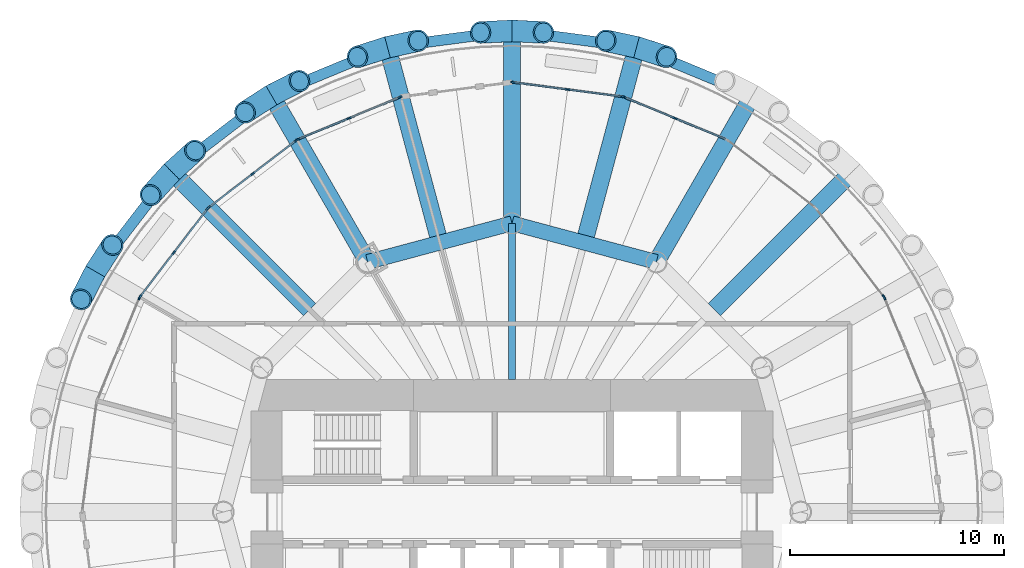
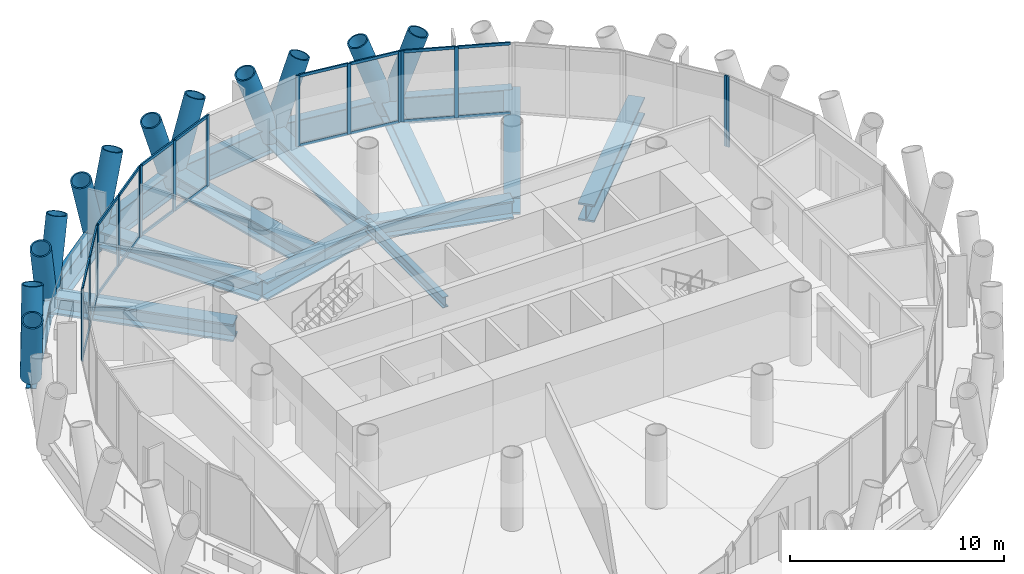
# One storey, part 5 of 14: 49 members, 16 beams, 8 elements without a shape of their own.
"""IFC4 building model written with IfcOpenShell, lengths in metres."""

from ifc_helpers import new_model, si_unit, direction, frame, origin, origin_2d, place, context, subcontext, project, spatial, rectangle, hollow_circle, i_section, extrude, material, material_profile, profile_set, type_object, element, aggregate, save


model = new_model("IFC4")

# Units and contexts
model_context = context("Model", 3, precision=1e-05, world=origin(), true_north=direction((0.0, 1.0)))
body_context = subcontext(model_context, "Body", "Model", "MODEL_VIEW")
ifc_project = project(units=[si_unit("LENGTHUNIT", "METRE"), si_unit("AREAUNIT", "SQUARE_METRE"), si_unit("VOLUMEUNIT", "CUBIC_METRE"), si_unit("PLANEANGLEUNIT", "RADIAN"), si_unit("MASSUNIT", "GRAM", prefix="KILO")], contexts=[model_context])

# Site, building, storey
site_placement = place(None, origin())
site = spatial("IfcSite", under=ifc_project, at=site_placement, CompositionType="ELEMENT")
building_placement = place(site_placement, origin())
building = spatial("IfcBuilding", under=site, at=building_placement, Name="Qaws Media Tower", CompositionType="ELEMENT")
storey_placement = place(building_placement, frame((0.0, 0.0, 227.60009765625)))
storey = spatial("IfcBuildingStorey", under=building, at=storey_placement, Name="L52", CompositionType="ELEMENT", Elevation=227.60009765625)

# Curtain wall, member
ifc_material_1 = material(Name="Aluminium and clear glass", Category="aluminium")
curtain_wall_type = type_object("IfcCurtainWallType", Name="Unitised curtain wall CW-C", PredefinedType="NOTDEFINED", material=ifc_material_1)
curtain_wall_1_placement = place(storey_placement, origin())
curtain_wall_1 = element("IfcCurtainWall", 1, at=curtain_wall_1_placement, inside=storey, type_object=curtain_wall_type, Name="CWC curtain wall L52-02", PredefinedType="NOTDEFINED")
ifc_material_2 = material(Name="Aluminium mullion", Category="aluminium")
ifc_material_profile_1 = material_profile(ifc_material_2, rectangle(XDim=0.080078125, YDim=0.199951171875, at=origin_2d()), Name="80x200")
ifc_profile_set_1 = profile_set([ifc_material_profile_1], Name="Aluminium mullion")
member_type_1 = type_object("IfcMemberType", Name="Curtain wall mullion 80x200", PredefinedType="MULLION", material=ifc_profile_set_1)
member_1_placement = place(storey_placement, frame((77.42236328125, 60.012939453125, 0.0), z_axis=(0.0, 0.0, 1.0), x_axis=(-0.92387956029, -0.382683365302, 0.0)))
member_1 = element("IfcMember", 2, at=member_1_placement, type_object=member_type_1, Name="CWC mullion 3", PredefinedType="MULLION", context=body_context, shape_type="SweptSolid", body=[
    extrude(rectangle(XDim=0.080078125, YDim=0.199951171875, at=origin_2d()), origin(), (0.0, 0.0, 1.0), 4.039794921875),
])
aggregate(curtain_wall_1, [member_1])

curtain_wall_2_placement = place(storey_placement, origin())
curtain_wall_2 = element("IfcCurtainWall", 3, at=curtain_wall_2_placement, inside=storey, type_object=curtain_wall_type, Name="CWC curtain wall L52-03", PredefinedType="NOTDEFINED")
member_2_placement = place(storey_placement, frame((77.3828125, 60.081787109375, 0.0), z_axis=(0.0, 0.0, 1.0), x_axis=(-0.793353255855, -0.608761539048, 0.0)))
member_2 = element("IfcMember", 4, at=member_2_placement, type_object=member_type_1, Name="CWC mullion 1", PredefinedType="MULLION", context=body_context, shape_type="SweptSolid", body=[
    extrude(rectangle(XDim=0.080078125, YDim=0.199951171875, at=origin_2d()), origin(), (0.0, 0.0, 1.0), 4.039794921875),
])
aggregate(curtain_wall_2, [member_2])

# Curtain wall, members
curtain_wall_3_placement = place(storey_placement, origin())
curtain_wall_3 = element("IfcCurtainWall", 5, at=curtain_wall_3_placement, inside=storey, type_object=curtain_wall_type, Name="CWC curtain wall L52-05", PredefinedType="NOTDEFINED")
member_3_placement = place(storey_placement, frame((67.626220703125, 68.4111328125, 0.0), z_axis=(0.0, 0.0, 1.0), x_axis=(-0.382683365302, -0.92387956029, 0.0)))
member_3 = element("IfcMember", 6, at=member_3_placement, type_object=member_type_1, Name="CWC mullion 2", PredefinedType="MULLION", context=body_context, shape_type="SweptSolid", body=[
    extrude(rectangle(XDim=0.080078125, YDim=0.199951171875, at=origin_2d()), origin(), (0.0, 0.0, 1.0), 4.039794921875),
])
member_4_placement = place(storey_placement, frame((65.2392578125, 69.39990234375, 0.0), z_axis=(0.0, 0.0, 1.0), x_axis=(-0.382683365302, -0.92387956029, 0.0)))
member_4 = element("IfcMember", 7, at=member_4_placement, type_object=member_type_1, Name="CWC mullion 3", PredefinedType="MULLION", context=body_context, shape_type="SweptSolid", body=[
    extrude(rectangle(XDim=0.080078125, YDim=0.199951171875, at=origin_2d()), origin(), (0.0, 0.0, 1.0), 4.039794921875),
])

curtain_wall_4_placement = place(storey_placement, origin())
curtain_wall_4 = element("IfcCurtainWall", 8, at=curtain_wall_4_placement, inside=storey, type_object=curtain_wall_type, Name="CWC curtain wall L52-06", PredefinedType="NOTDEFINED")
member_5_placement = place(storey_placement, frame((65.16259765625, 69.42041015625, 0.0), z_axis=(0.0, 0.0, 1.0), x_axis=(-0.130526207759, -0.991444859328, 0.0)))
member_5 = element("IfcMember", 9, at=member_5_placement, type_object=member_type_1, Name="CWC mullion 1", PredefinedType="MULLION", context=body_context, shape_type="SweptSolid", body=[
    extrude(rectangle(XDim=0.080078125, YDim=0.199951171875, at=origin_2d()), origin(), (0.0, 0.0, 1.0), 4.039794921875),
])
member_6_placement = place(storey_placement, frame((62.60107421875, 69.757568359375, 0.0), z_axis=(0.0, 0.0, 1.0), x_axis=(-0.130526207759, -0.991444859328, 0.0)))
member_6 = element("IfcMember", 10, at=member_6_placement, type_object=member_type_1, Name="CWC mullion 2", PredefinedType="MULLION", context=body_context, shape_type="SweptSolid", body=[
    extrude(rectangle(XDim=0.080078125, YDim=0.199951171875, at=origin_2d()), origin(), (0.0, 0.0, 1.0), 4.039794921875),
])
member_7_placement = place(storey_placement, frame((60.03955078125, 70.0947265625, 0.0), z_axis=(0.0, 0.0, 1.0), x_axis=(-0.130526207759, -0.991444859328, 0.0)))
member_7 = element("IfcMember", 11, at=member_7_placement, type_object=member_type_1, Name="CWC mullion 3", PredefinedType="MULLION", context=body_context, shape_type="SweptSolid", body=[
    extrude(rectangle(XDim=0.080078125, YDim=0.199951171875, at=origin_2d()), origin(), (0.0, 0.0, 1.0), 4.039794921875),
])

curtain_wall_5_placement = place(storey_placement, origin())
curtain_wall_5 = element("IfcCurtainWall", 12, at=curtain_wall_5_placement, inside=storey, type_object=curtain_wall_type, Name="CWC curtain wall L52-08", PredefinedType="NOTDEFINED")
member_8_placement = place(storey_placement, frame((54.7607421875, 69.39990234375, 0.0), z_axis=(0.0, 0.0, 1.0), x_axis=(0.382683365302, -0.92387956029, 0.0)))
member_8 = element("IfcMember", 13, at=member_8_placement, type_object=member_type_1, Name="CWC mullion 1", PredefinedType="MULLION", context=body_context, shape_type="SweptSolid", body=[
    extrude(rectangle(XDim=0.080078125, YDim=0.199951171875, at=origin_2d()), origin(), (0.0, 0.0, 1.0), 4.039794921875),
])
member_9_placement = place(storey_placement, frame((52.373779296875, 68.4111328125, 0.0), z_axis=(0.0, 0.0, 1.0), x_axis=(0.382683365302, -0.92387956029, 0.0)))
member_9 = element("IfcMember", 14, at=member_9_placement, type_object=member_type_1, Name="CWC mullion 2", PredefinedType="MULLION", context=body_context, shape_type="SweptSolid", body=[
    extrude(rectangle(XDim=0.080078125, YDim=0.199951171875, at=origin_2d()), origin(), (0.0, 0.0, 1.0), 4.039794921875),
])
member_10_placement = place(storey_placement, frame((49.987060546875, 67.42236328125, 0.0), z_axis=(0.0, 0.0, 1.0), x_axis=(0.382683365302, -0.92387956029, 0.0)))
member_10 = element("IfcMember", 15, at=member_10_placement, type_object=member_type_1, Name="CWC mullion 3", PredefinedType="MULLION", context=body_context, shape_type="SweptSolid", body=[
    extrude(rectangle(XDim=0.080078125, YDim=0.199951171875, at=origin_2d()), origin(), (0.0, 0.0, 1.0), 4.039794921875),
])

curtain_wall_6_placement = place(storey_placement, origin())
curtain_wall_6 = element("IfcCurtainWall", 16, at=curtain_wall_6_placement, inside=storey, type_object=curtain_wall_type, Name="CWC curtain wall L52-09", PredefinedType="NOTDEFINED")
member_11_placement = place(storey_placement, frame((49.918212890625, 67.3828125, 0.0), z_axis=(0.0, 0.0, 1.0), x_axis=(0.608761539048, -0.793353255855, 0.0)))
member_11 = element("IfcMember", 17, at=member_11_placement, type_object=member_type_1, Name="CWC mullion 1", PredefinedType="MULLION", context=body_context, shape_type="SweptSolid", body=[
    extrude(rectangle(XDim=0.080078125, YDim=0.199951171875, at=origin_2d()), origin(), (0.0, 0.0, 1.0), 4.039794921875),
])
member_12_placement = place(storey_placement, frame((47.86865234375, 65.81005859375, 0.0), z_axis=(0.0, 0.0, 1.0), x_axis=(0.608761539048, -0.793353255855, 0.0)))
member_12 = element("IfcMember", 18, at=member_12_placement, type_object=member_type_1, Name="CWC mullion 2", PredefinedType="MULLION", context=body_context, shape_type="SweptSolid", body=[
    extrude(rectangle(XDim=0.080078125, YDim=0.199951171875, at=origin_2d()), origin(), (0.0, 0.0, 1.0), 4.039794921875),
])
member_13_placement = place(storey_placement, frame((45.81884765625, 64.2373046875, 0.0), z_axis=(0.0, 0.0, 1.0), x_axis=(0.608761539048, -0.793353255855, 0.0)))
member_13 = element("IfcMember", 19, at=member_13_placement, type_object=member_type_1, Name="CWC mullion 3", PredefinedType="MULLION", context=body_context, shape_type="SweptSolid", body=[
    extrude(rectangle(XDim=0.080078125, YDim=0.199951171875, at=origin_2d()), origin(), (0.0, 0.0, 1.0), 4.039794921875),
])

curtain_wall_7_placement = place(storey_placement, origin())
curtain_wall_7 = element("IfcCurtainWall", 20, at=curtain_wall_7_placement, inside=storey, type_object=curtain_wall_type, Name="CWC curtain wall L52-10", PredefinedType="NOTDEFINED")
member_14_placement = place(storey_placement, frame((45.7626953125, 64.18115234375, 0.0), z_axis=(0.0, 0.0, 1.0), x_axis=(0.793353255855, -0.608761539048, 0.0)))
member_14 = element("IfcMember", 21, at=member_14_placement, type_object=member_type_1, Name="CWC mullion 1", PredefinedType="MULLION", context=body_context, shape_type="SweptSolid", body=[
    extrude(rectangle(XDim=0.080078125, YDim=0.199951171875, at=origin_2d()), origin(), (0.0, 0.0, 1.0), 4.039794921875),
])
member_15_placement = place(storey_placement, frame((44.18994140625, 62.13134765625, 0.0), z_axis=(0.0, 0.0, 1.0), x_axis=(0.793353255855, -0.608761539048, 0.0)))
member_15 = element("IfcMember", 22, at=member_15_placement, type_object=member_type_1, Name="CWC mullion 2", PredefinedType="MULLION", context=body_context, shape_type="SweptSolid", body=[
    extrude(rectangle(XDim=0.080078125, YDim=0.199951171875, at=origin_2d()), origin(), (0.0, 0.0, 1.0), 4.039794921875),
])
member_16_placement = place(storey_placement, frame((42.6171875, 60.081787109375, 0.0), z_axis=(0.0, 0.0, 1.0), x_axis=(0.793353255855, -0.608761539048, 0.0)))
member_16 = element("IfcMember", 23, at=member_16_placement, type_object=member_type_1, Name="CWC mullion 3", PredefinedType="MULLION", context=body_context, shape_type="SweptSolid", body=[
    extrude(rectangle(XDim=0.080078125, YDim=0.199951171875, at=origin_2d()), origin(), (0.0, 0.0, 1.0), 4.039794921875),
])

# Curtain wall, member
curtain_wall_8_placement = place(storey_placement, origin())
curtain_wall_8 = element("IfcCurtainWall", 24, at=curtain_wall_8_placement, inside=storey, type_object=curtain_wall_type, Name="CWC curtain wall L52-11", PredefinedType="NOTDEFINED")
member_17_placement = place(storey_placement, frame((42.57763671875, 60.012939453125, 0.0), z_axis=(0.0, 0.0, 1.0), x_axis=(0.92387956029, -0.382683365302, 0.0)))
member_17 = element("IfcMember", 25, at=member_17_placement, type_object=member_type_1, Name="CWC mullion 1", PredefinedType="MULLION", context=body_context, shape_type="SweptSolid", body=[
    extrude(rectangle(XDim=0.080078125, YDim=0.199951171875, at=origin_2d()), origin(), (0.0, 0.0, 1.0), 4.039794921875),
])
aggregate(curtain_wall_8, [member_17])

# Member
ifc_material_3 = material(Name="Aluminium transom", Category="aluminium")
ifc_material_profile_2 = material_profile(ifc_material_3, rectangle(XDim=0.080078125, YDim=0.159912109375, at=origin_2d()), Name="80x160")
ifc_profile_set_2 = profile_set([ifc_material_profile_2], Name="Aluminium transom")
member_type_2 = type_object("IfcMemberType", Name="Curtain wall transom 80x160", PredefinedType="USERDEFINED", material=ifc_profile_set_2)
member_18_placement = place(storey_placement, frame((69.97607421875, 67.437744140625, 0.039794921875), z_axis=(-0.923888472039, 0.382661849723, 0.0), x_axis=(-0.382661849723, -0.923888472039, 0.0)))
member_18 = element("IfcMember", 26, at=member_18_placement, type_object=member_type_2, Name="CWC transom 1.1", ObjectType="TRANSOM", PredefinedType="USERDEFINED", context=body_context, shape_type="SweptSolid", body=[
    extrude(rectangle(XDim=0.080078125, YDim=0.159912109375, at=origin_2d()), origin(), (0.0, 0.0, 1.0), 2.50341796875),
])

member_19_placement = place(storey_placement, frame((69.97607421875, 67.437744140625, 4.0), z_axis=(-0.923888472039, 0.382661849723, 0.0), x_axis=(-0.382661849723, -0.923888472039, 0.0)))
member_19 = element("IfcMember", 27, at=member_19_placement, type_object=member_type_2, Name="CWC transom 1.2", ObjectType="TRANSOM", PredefinedType="USERDEFINED", context=body_context, shape_type="SweptSolid", body=[
    extrude(rectangle(XDim=0.080078125, YDim=0.159912109375, at=origin_2d()), origin(), (0.0, 0.0, 1.0), 2.50341796875),
])

member_20_placement = place(storey_placement, frame((67.589111328125, 68.426513671875, 0.039794921875), z_axis=(-0.923888472039, 0.382661849723, 0.0), x_axis=(-0.382661849723, -0.923888472039, 0.0)))
member_20 = element("IfcMember", 28, at=member_20_placement, type_object=member_type_2, Name="CWC transom 2.1", ObjectType="TRANSOM", PredefinedType="USERDEFINED", context=body_context, shape_type="SweptSolid", body=[
    extrude(rectangle(XDim=0.080078125, YDim=0.159912109375, at=origin_2d()), origin(), (0.0, 0.0, 1.0), 2.50341796875),
])

member_21_placement = place(storey_placement, frame((67.589111328125, 68.426513671875, 4.0), z_axis=(-0.923888472039, 0.382661849723, 0.0), x_axis=(-0.382661849723, -0.923888472039, 0.0)))
member_21 = element("IfcMember", 29, at=member_21_placement, type_object=member_type_2, Name="CWC transom 2.2", ObjectType="TRANSOM", PredefinedType="USERDEFINED", context=body_context, shape_type="SweptSolid", body=[
    extrude(rectangle(XDim=0.080078125, YDim=0.159912109375, at=origin_2d()), origin(), (0.0, 0.0, 1.0), 2.50341796875),
])

aggregate(curtain_wall_3, [member_3, member_4, member_18, member_19, member_20, member_21])

member_22_placement = place(storey_placement, frame((65.123046875, 69.425537109375, 0.039794921875), z_axis=(-0.991438688651, 0.130573070139, 0.0), x_axis=(-0.130573070139, -0.991438688651, 0.0)))
member_22 = element("IfcMember", 30, at=member_22_placement, type_object=member_type_2, Name="CWC transom 1.1", ObjectType="TRANSOM", PredefinedType="USERDEFINED", context=body_context, shape_type="SweptSolid", body=[
    extrude(rectangle(XDim=0.080078125, YDim=0.159912109375, at=origin_2d()), origin(), (0.0, 0.0, 1.0), 2.503662109375),
])

member_23_placement = place(storey_placement, frame((65.123046875, 69.425537109375, 4.0), z_axis=(-0.991438688651, 0.130573070139, 0.0), x_axis=(-0.130573070139, -0.991438688651, 0.0)))
member_23 = element("IfcMember", 31, at=member_23_placement, type_object=member_type_2, Name="CWC transom 1.2", ObjectType="TRANSOM", PredefinedType="USERDEFINED", context=body_context, shape_type="SweptSolid", body=[
    extrude(rectangle(XDim=0.080078125, YDim=0.159912109375, at=origin_2d()), origin(), (0.0, 0.0, 1.0), 2.503662109375),
])

member_24_placement = place(storey_placement, frame((62.5615234375, 69.7626953125, 0.039794921875), z_axis=(-0.991438688651, 0.130573070139, 0.0), x_axis=(-0.130573070139, -0.991438688651, 0.0)))
member_24 = element("IfcMember", 32, at=member_24_placement, type_object=member_type_2, Name="CWC transom 2.1", ObjectType="TRANSOM", PredefinedType="USERDEFINED", context=body_context, shape_type="SweptSolid", body=[
    extrude(rectangle(XDim=0.080078125, YDim=0.159912109375, at=origin_2d()), origin(), (0.0, 0.0, 1.0), 2.503662109375),
])

member_25_placement = place(storey_placement, frame((62.5615234375, 69.7626953125, 4.0), z_axis=(-0.991438688651, 0.130573070139, 0.0), x_axis=(-0.130573070139, -0.991438688651, 0.0)))
member_25 = element("IfcMember", 33, at=member_25_placement, type_object=member_type_2, Name="CWC transom 2.2", ObjectType="TRANSOM", PredefinedType="USERDEFINED", context=body_context, shape_type="SweptSolid", body=[
    extrude(rectangle(XDim=0.080078125, YDim=0.159912109375, at=origin_2d()), origin(), (0.0, 0.0, 1.0), 2.503662109375),
])

aggregate(curtain_wall_4, [member_5, member_6, member_7, member_22, member_23, member_24, member_25])

member_26_placement = place(storey_placement, frame((54.723876953125, 69.384521484375, 0.039794921875), z_axis=(-0.923888472039, -0.382661849723, 0.0), x_axis=(0.382661849723, -0.923888472039, 0.0)))
member_26 = element("IfcMember", 34, at=member_26_placement, type_object=member_type_2, Name="CWC transom 1.1", ObjectType="TRANSOM", PredefinedType="USERDEFINED", context=body_context, shape_type="SweptSolid", body=[
    extrude(rectangle(XDim=0.080078125, YDim=0.159912109375, at=origin_2d()), origin(), (0.0, 0.0, 1.0), 2.50341796875),
])

member_27_placement = place(storey_placement, frame((54.723876953125, 69.384521484375, 4.0), z_axis=(-0.923888472039, -0.382661849723, 0.0), x_axis=(0.382661849723, -0.923888472039, 0.0)))
member_27 = element("IfcMember", 35, at=member_27_placement, type_object=member_type_2, Name="CWC transom 1.2", ObjectType="TRANSOM", PredefinedType="USERDEFINED", context=body_context, shape_type="SweptSolid", body=[
    extrude(rectangle(XDim=0.080078125, YDim=0.159912109375, at=origin_2d()), origin(), (0.0, 0.0, 1.0), 2.50341796875),
])

member_28_placement = place(storey_placement, frame((52.3369140625, 68.395751953125, 0.039794921875), z_axis=(-0.923888472039, -0.382661849723, 0.0), x_axis=(0.382661849723, -0.923888472039, 0.0)))
member_28 = element("IfcMember", 36, at=member_28_placement, type_object=member_type_2, Name="CWC transom 2.1", ObjectType="TRANSOM", PredefinedType="USERDEFINED", context=body_context, shape_type="SweptSolid", body=[
    extrude(rectangle(XDim=0.080078125, YDim=0.159912109375, at=origin_2d()), origin(), (0.0, 0.0, 1.0), 2.50341796875),
])

member_29_placement = place(storey_placement, frame((52.3369140625, 68.395751953125, 4.0), z_axis=(-0.923888472039, -0.382661849723, 0.0), x_axis=(0.382661849723, -0.923888472039, 0.0)))
member_29 = element("IfcMember", 37, at=member_29_placement, type_object=member_type_2, Name="CWC transom 2.2", ObjectType="TRANSOM", PredefinedType="USERDEFINED", context=body_context, shape_type="SweptSolid", body=[
    extrude(rectangle(XDim=0.080078125, YDim=0.159912109375, at=origin_2d()), origin(), (0.0, 0.0, 1.0), 2.50341796875),
])

aggregate(curtain_wall_5, [member_8, member_9, member_10, member_26, member_27, member_28, member_29])

member_30_placement = place(storey_placement, frame((49.886474609375, 67.3583984375, 0.039794921875), z_axis=(-0.793315898111, -0.608810221501, 0.0), x_axis=(0.608810221501, -0.793315898111, 0.0)))
member_30 = element("IfcMember", 38, at=member_30_placement, type_object=member_type_2, Name="CWC transom 1.1", ObjectType="TRANSOM", PredefinedType="USERDEFINED", context=body_context, shape_type="SweptSolid", body=[
    extrude(rectangle(XDim=0.080078125, YDim=0.159912109375, at=origin_2d()), origin(), (0.0, 0.0, 1.0), 2.50341796875),
])

member_31_placement = place(storey_placement, frame((49.886474609375, 67.3583984375, 4.0), z_axis=(-0.793315898111, -0.608810221501, 0.0), x_axis=(0.608810221501, -0.793315898111, 0.0)))
member_31 = element("IfcMember", 39, at=member_31_placement, type_object=member_type_2, Name="CWC transom 1.2", ObjectType="TRANSOM", PredefinedType="USERDEFINED", context=body_context, shape_type="SweptSolid", body=[
    extrude(rectangle(XDim=0.080078125, YDim=0.159912109375, at=origin_2d()), origin(), (0.0, 0.0, 1.0), 2.50341796875),
])

member_32_placement = place(storey_placement, frame((47.8369140625, 65.78564453125, 0.039794921875), z_axis=(-0.79335203927, -0.608763124529, 0.0), x_axis=(0.608763124529, -0.79335203927, 0.0)))
member_32 = element("IfcMember", 40, at=member_32_placement, type_object=member_type_2, Name="CWC transom 2.1", ObjectType="TRANSOM", PredefinedType="USERDEFINED", context=body_context, shape_type="SweptSolid", body=[
    extrude(rectangle(XDim=0.080078125, YDim=0.159912109375, at=origin_2d()), origin(), (0.0, 0.0, 1.0), 2.503662109375),
])

member_33_placement = place(storey_placement, frame((47.8369140625, 65.78564453125, 4.0), z_axis=(-0.79335203927, -0.608763124529, 0.0), x_axis=(0.608763124529, -0.79335203927, 0.0)))
member_33 = element("IfcMember", 41, at=member_33_placement, type_object=member_type_2, Name="CWC transom 2.2", ObjectType="TRANSOM", PredefinedType="USERDEFINED", context=body_context, shape_type="SweptSolid", body=[
    extrude(rectangle(XDim=0.080078125, YDim=0.159912109375, at=origin_2d()), origin(), (0.0, 0.0, 1.0), 2.503662109375),
])

aggregate(curtain_wall_6, [member_11, member_12, member_13, member_30, member_31, member_32, member_33])

member_34_placement = place(storey_placement, frame((45.738525390625, 64.1494140625, 0.039794921875), z_axis=(-0.608763124529, -0.79335203927, 0.0), x_axis=(0.79335203927, -0.608763124529, 0.0)))
member_34 = element("IfcMember", 42, at=member_34_placement, type_object=member_type_2, Name="CWC transom 1.1", ObjectType="TRANSOM", PredefinedType="USERDEFINED", context=body_context, shape_type="SweptSolid", body=[
    extrude(rectangle(XDim=0.080078125, YDim=0.159912109375, at=origin_2d()), origin(), (0.0, 0.0, 1.0), 2.503662109375),
])

member_35_placement = place(storey_placement, frame((45.738525390625, 64.1494140625, 4.0), z_axis=(-0.608763124529, -0.79335203927, 0.0), x_axis=(0.79335203927, -0.608763124529, 0.0)))
member_35 = element("IfcMember", 43, at=member_35_placement, type_object=member_type_2, Name="CWC transom 1.2", ObjectType="TRANSOM", PredefinedType="USERDEFINED", context=body_context, shape_type="SweptSolid", body=[
    extrude(rectangle(XDim=0.080078125, YDim=0.159912109375, at=origin_2d()), origin(), (0.0, 0.0, 1.0), 2.503662109375),
])

member_36_placement = place(storey_placement, frame((44.165771484375, 62.099609375, 0.039794921875), z_axis=(-0.608810221501, -0.793315898111, 0.0), x_axis=(0.793315898111, -0.608810221501, 0.0)))
member_36 = element("IfcMember", 44, at=member_36_placement, type_object=member_type_2, Name="CWC transom 2.1", ObjectType="TRANSOM", PredefinedType="USERDEFINED", context=body_context, shape_type="SweptSolid", body=[
    extrude(rectangle(XDim=0.080078125, YDim=0.159912109375, at=origin_2d()), origin(), (0.0, 0.0, 1.0), 2.50341796875),
])

member_37_placement = place(storey_placement, frame((44.165771484375, 62.099609375, 4.0), z_axis=(-0.608810221501, -0.793315898111, 0.0), x_axis=(0.793315898111, -0.608810221501, 0.0)))
member_37 = element("IfcMember", 45, at=member_37_placement, type_object=member_type_2, Name="CWC transom 2.2", ObjectType="TRANSOM", PredefinedType="USERDEFINED", context=body_context, shape_type="SweptSolid", body=[
    extrude(rectangle(XDim=0.080078125, YDim=0.159912109375, at=origin_2d()), origin(), (0.0, 0.0, 1.0), 2.50341796875),
])

aggregate(curtain_wall_7, [member_14, member_15, member_16, member_34, member_35, member_36, member_37])

# Members
ifc_material_4 = material(Name="Steel S460", Category="steel")
ifc_material_profile_3 = material_profile(ifc_material_4, hollow_circle(Radius=0.508056640625, WallThickness=0.070068359375, at=origin_2d()), Name="CHS 1016x70")
ifc_profile_set_3 = profile_set([ifc_material_profile_3], Name="Steel S460")
member_type_3 = type_object("IfcMemberType", Name="Diagrid member CHS 1016x70", PredefinedType="USERDEFINED", material=ifc_profile_set_3)
for number, where, z_axis, x_axis, name in (
    (46, (65.823486328125, 71.7333984375, -0.91015625), (-0.323283600467, 0.06961596623, 0.943737956699), (-0.210514612597, -0.977590710821, 0.0), "DG3 diagrid L52 A06"),
    (47, (65.823486328125, 71.7333984375, -0.91015625), (0.314779550303, -0.101378983785, 0.943735204577), (0.306556840364, 0.951852353901, 0.0), "DG3 diagrid L52 B06"),
    (48, (60.0, 72.5, -0.91015625), (-0.330303240189, -0.016457560548, 0.943731380331), (0.049763876967, -0.998761010727, 0.0), "DG3 diagrid L52 A07"),
    (49, (60.0, 72.5, -0.91015625), (0.330303240189, -0.016457560548, 0.943731380331), (0.049763876967, 0.998761010727, 0.0), "DG3 diagrid L52 B07"),
    (50, (54.176513671875, 71.7333984375, -0.91015625), (-0.314779550303, -0.101378983785, 0.943735204577), (0.306556840364, -0.951852353901, 0.0), "DG3 diagrid L52 A08"),
    (51, (54.176513671875, 71.7333984375, -0.91015625), (0.323283600467, 0.06961596623, 0.943737956699), (-0.210514612597, 0.977590710821, 0.0), "DG3 diagrid L52 B08"),
    (52, (48.75, 69.485595703125, -0.91015625), (-0.277805898185, -0.179388879752, 0.943739112655), (0.542466897967, -0.84007717777, 0.0), "DG3 diagrid L52 A09"),
    (53, (48.75, 69.485595703125, -0.91015625), (0.294262043365, 0.150916271681, 0.94373414094), (-0.456346957219, 0.889801918765, 0.0), "DG3 diagrid L52 B09"),
    (54, (44.090087890625, 65.909912109375, -0.91015625), (-0.221957754822, -0.245162927904, 0.943731897233), (0.741319599696, -0.671152181779, 0.0), "DG3 diagrid L52 A10"),
    (55, (44.090087890625, 65.909912109375, -0.91015625), (0.245162927904, 0.221957754822, 0.943731897233), (-0.671152181779, 0.741319599696, 0.0), "DG3 diagrid L52 B10"),
    (56, (40.514404296875, 61.25, -0.91015625), (-0.150916271681, -0.294262043365, 0.94373414094), (0.889801918765, -0.456346957219, 0.0), "DG3 diagrid L52 A11"),
    (57, (40.514404296875, 61.25, -0.91015625), (0.179388879752, 0.277805898185, 0.943739112655), (-0.84007717777, 0.542466897967, 0.0), "DG3 diagrid L52 B11"),
):
    element("IfcMember", number, at=place(storey_placement, frame(where, z_axis=z_axis, x_axis=x_axis)), inside=storey, type_object=member_type_3, Name=name, ObjectType="DIAGRID", PredefinedType="USERDEFINED", context=body_context, shape_type="SweptSolid", body=[
        extrude(hollow_circle(Radius=0.508056640625, WallThickness=0.070068359375, at=origin_2d()), origin(), (0.0, 0.0, 1.0), 4.450439453125),
    ])

# Beams
ifc_material_5 = material(Name="Steel S460", Category="steel")
ifc_material_profile_4 = material_profile(ifc_material_5, i_section(OverallWidth=0.5, OverallDepth=1.5, WebThickness=0.02001953125, FlangeThickness=0.0400390625, at=origin_2d()), Name="PG 1500x500")
ifc_profile_set_4 = profile_set([ifc_material_profile_4], Name="Steel S460")
beam_type_1 = type_object("IfcBeamType", Name="Edge ring beam PG 1500x500", PredefinedType="BEAM", material=ifc_profile_set_4)
beam_1_placement = place(storey_placement, frame((71.25, 69.485595703125, -0.91015625), z_axis=(-0.923875488976, 0.382693194178, 0.0), x_axis=(-0.382693194178, -0.923875488976, 0.0)))
element("IfcBeam", 58, at=beam_1_placement, inside=storey, type_object=beam_type_1, Name="RB4 edge ring beam L52-05", PredefinedType="BEAM", context=body_context, shape_type="SweptSolid", body=[
    extrude(i_section(OverallWidth=0.5, OverallDepth=1.5, WebThickness=0.02001953125, FlangeThickness=0.0400390625, at=origin_2d()), origin(), (0.0, 0.0, 1.0), 5.87353515625),
])
for number, where, z_axis, x_axis, name in (
    (59, (65.823486328125, 71.7333984375, -0.91015625), (-0.991446512747, 0.13051364818, 0.0), (-0.13051364818, -0.991446512747, 0.0), "RB4 edge ring beam L52-06"),
    (60, (60.0, 72.5, -0.91015625), (-0.991446512747, -0.13051364818, 0.0), (0.13051364818, -0.991446512747, 0.0), "RB4 edge ring beam L52-07"),
):
    element("IfcBeam", number, at=place(storey_placement, frame(where, z_axis=z_axis, x_axis=x_axis)), inside=storey, type_object=beam_type_1, Name=name, PredefinedType="BEAM", context=body_context, shape_type="SweptSolid", body=[
        extrude(i_section(OverallWidth=0.5, OverallDepth=1.5, WebThickness=0.02001953125, FlangeThickness=0.0400390625, at=origin_2d()), origin(), (0.0, 0.0, 1.0), 5.873779296875),
    ])
beam_2_placement = place(storey_placement, frame((54.176513671875, 71.7333984375, -0.91015625), z_axis=(-0.923875488976, -0.382693194178, 0.0), x_axis=(0.382693194178, -0.923875488976, 0.0)))
element("IfcBeam", 61, at=beam_2_placement, inside=storey, type_object=beam_type_1, Name="RB4 edge ring beam L52-08", PredefinedType="BEAM", context=body_context, shape_type="SweptSolid", body=[
    extrude(i_section(OverallWidth=0.5, OverallDepth=1.5, WebThickness=0.02001953125, FlangeThickness=0.0400390625, at=origin_2d()), origin(), (0.0, 0.0, 1.0), 5.87353515625),
])
for number, where, z_axis, x_axis, name in (
    (62, (48.75, 69.485595703125, -0.91015625), (-0.793352742466, -0.608762208108, 0.0), (0.608762208108, -0.793352742466, 0.0), "RB4 edge ring beam L52-09"),
    (63, (44.090087890625, 65.909912109375, -0.91015625), (-0.608762208108, -0.793352742466, 0.0), (0.793352742466, -0.608762208108, 0.0), "RB4 edge ring beam L52-10"),
):
    element("IfcBeam", number, at=place(storey_placement, frame(where, z_axis=z_axis, x_axis=x_axis)), inside=storey, type_object=beam_type_1, Name=name, PredefinedType="BEAM", context=body_context, shape_type="SweptSolid", body=[
        extrude(i_section(OverallWidth=0.5, OverallDepth=1.5, WebThickness=0.02001953125, FlangeThickness=0.0400390625, at=origin_2d()), origin(), (0.0, 0.0, 1.0), 5.873779296875),
    ])
ifc_material_6 = material(Name="Steel S460", Category="steel")
ifc_material_profile_5 = material_profile(ifc_material_6, i_section(OverallWidth=0.699951171875, OverallDepth=1.0, WebThickness=0.034912109375, FlangeThickness=0.090087890625, at=origin_2d()), Name="PG 1000x700")
ifc_profile_set_5 = profile_set([ifc_material_profile_5], Name="Steel S460")
beam_type_2 = type_object("IfcBeamType", Name="Inner ring girder PG 1000x700", PredefinedType="BEAM", material=ifc_profile_set_5)
for number, where, z_axis, x_axis, name in (
    (64, (66.75, 61.69140625, -0.66015625), (-0.965928090778, 0.258810593767, 0.0), (-0.258810593767, -0.965928090778, 0.0), "B3 inner ring beam L52 I03-I04"),
    (65, (60.0, 63.5, -0.66015625), (-0.965928090778, -0.258810593767, 0.0), (0.258810593767, -0.965928090778, 0.0), "B3 inner ring beam L52 I04-I05"),
):
    element("IfcBeam", number, at=place(storey_placement, frame(where, z_axis=z_axis, x_axis=x_axis)), inside=storey, type_object=beam_type_2, Name=name, PredefinedType="BEAM", context=body_context, shape_type="SweptSolid", body=[
        extrude(i_section(OverallWidth=0.699951171875, OverallDepth=1.0, WebThickness=0.034912109375, FlangeThickness=0.090087890625, at=origin_2d()), origin(), (0.0, 0.0, 1.0), 6.988037109375),
    ])
ifc_material_7 = material(Name="Steel S355", Category="steel")
ifc_material_profile_6 = material_profile(ifc_material_7, i_section(OverallWidth=0.304931640625, OverallDepth=0.6201171875, WebThickness=0.02099609375, FlangeThickness=0.0400390625, FilletRadius=0.027099609375, at=origin_2d()), Name="HE 600 M")
ifc_profile_set_6 = profile_set([ifc_material_profile_6], Name="Steel S355")
beam_type_3 = type_object("IfcBeamType", Name="Radial beam HE 600 M, core side", PredefinedType="BEAM", material=ifc_profile_set_6)
beam_3_placement = place(storey_placement, frame((60.0, 56.199951171875, -0.47021484375), z_axis=(0.0, 1.0, 0.0), x_axis=(-1.0, 0.0, 0.0)))
element("IfcBeam", 66, at=beam_3_placement, inside=storey, type_object=beam_type_3, Name="B2 radial beam L52 07", PredefinedType="BEAM", context=body_context, shape_type="SweptSolid", body=[
    extrude(i_section(OverallWidth=0.304931640625, OverallDepth=0.6201171875, WebThickness=0.02099609375, FlangeThickness=0.0400390625, FilletRadius=0.027099609375, at=origin_2d()), origin(), (0.0, 0.0, 1.0), 7.300048828125),
])
ifc_material_8 = material(Name="Steel S460", Category="steel")
ifc_material_profile_7 = material_profile(ifc_material_8, i_section(OverallWidth=0.800048828125, OverallDepth=1.0, WebThickness=0.0400390625, FlangeThickness=0.10009765625, at=origin_2d()), Name="PG 1000x800")
ifc_profile_set_7 = profile_set([ifc_material_profile_7], Name="Steel S460")
beam_type_4 = type_object("IfcBeamType", Name="Radial girder PG 1000x800", PredefinedType="BEAM", material=ifc_profile_set_7)
beam_4_placement = place(storey_placement, frame((69.46826171875, 59.46826171875, -0.66015625), z_axis=(0.707106781187, 0.707106781187, 0.0), x_axis=(-0.707106781187, 0.707106781187, 0.0)))
element("IfcBeam", 67, at=beam_4_placement, inside=storey, type_object=beam_type_4, Name="B1 radial beam L52 04", PredefinedType="BEAM", context=body_context, shape_type="SweptSolid", body=[
    extrude(i_section(OverallWidth=0.800048828125, OverallDepth=1.0, WebThickness=0.0400390625, FlangeThickness=0.10009765625, at=origin_2d()), origin(), (0.0, 0.0, 1.0), 9.10986328125),
])
beam_5_placement = place(storey_placement, frame((66.75, 61.69140625, -0.66015625), z_axis=(0.5000018851, 0.866024315419, 0.0), x_axis=(-0.866024315419, 0.5000018851, 0.0)))
element("IfcBeam", 68, at=beam_5_placement, inside=storey, type_object=beam_type_4, Name="B1 radial beam L52 05", PredefinedType="BEAM", context=body_context, shape_type="SweptSolid", body=[
    extrude(i_section(OverallWidth=0.800048828125, OverallDepth=1.0, WebThickness=0.0400390625, FlangeThickness=0.10009765625, at=origin_2d()), origin(), (0.0, 0.0, 1.0), 9.0),
])
beam_6_placement = place(storey_placement, frame((63.465576171875, 62.933837890625, -0.66015625), z_axis=(0.258826727753, 0.965923767696, 0.0), x_axis=(-0.965923767696, 0.258826727753, 0.0)))
element("IfcBeam", 69, at=beam_6_placement, inside=storey, type_object=beam_type_4, Name="B1 radial beam L52 06", PredefinedType="BEAM", context=body_context, shape_type="SweptSolid", body=[
    extrude(i_section(OverallWidth=0.800048828125, OverallDepth=1.0, WebThickness=0.0400390625, FlangeThickness=0.10009765625, at=origin_2d()), origin(), (0.0, 0.0, 1.0), 9.110107421875),
])
beam_7_placement = place(storey_placement, frame((60.0, 63.5, -0.66015625), z_axis=(0.0, 1.0, 0.0), x_axis=(-1.0, 0.0, 0.0)))
element("IfcBeam", 70, at=beam_7_placement, inside=storey, type_object=beam_type_4, Name="B1 radial beam L52 07", PredefinedType="BEAM", context=body_context, shape_type="SweptSolid", body=[
    extrude(i_section(OverallWidth=0.800048828125, OverallDepth=1.0, WebThickness=0.0400390625, FlangeThickness=0.10009765625, at=origin_2d()), origin(), (0.0, 0.0, 1.0), 9.0),
])
beam_8_placement = place(storey_placement, frame((56.534423828125, 62.933837890625, -0.66015625), z_axis=(-0.258826727753, 0.965923767696, 0.0), x_axis=(-0.965923767696, -0.258826727753, 0.0)))
element("IfcBeam", 71, at=beam_8_placement, inside=storey, type_object=beam_type_4, Name="B1 radial beam L52 08", PredefinedType="BEAM", context=body_context, shape_type="SweptSolid", body=[
    extrude(i_section(OverallWidth=0.800048828125, OverallDepth=1.0, WebThickness=0.0400390625, FlangeThickness=0.10009765625, at=origin_2d()), origin(), (0.0, 0.0, 1.0), 9.110107421875),
])
beam_9_placement = place(storey_placement, frame((53.25, 61.69140625, -0.66015625), z_axis=(-0.5000018851, 0.866024315419, 0.0), x_axis=(-0.866024315419, -0.5000018851, 0.0)))
element("IfcBeam", 72, at=beam_9_placement, inside=storey, type_object=beam_type_4, Name="B1 radial beam L52 09", PredefinedType="BEAM", context=body_context, shape_type="SweptSolid", body=[
    extrude(i_section(OverallWidth=0.800048828125, OverallDepth=1.0, WebThickness=0.0400390625, FlangeThickness=0.10009765625, at=origin_2d()), origin(), (0.0, 0.0, 1.0), 9.0),
])
beam_10_placement = place(storey_placement, frame((50.53173828125, 59.46826171875, -0.66015625), z_axis=(-0.707106781187, 0.707106781187, 0.0), x_axis=(-0.707106781187, -0.707106781187, 0.0)))
element("IfcBeam", 73, at=beam_10_placement, inside=storey, type_object=beam_type_4, Name="B1 radial beam L52 10", PredefinedType="BEAM", context=body_context, shape_type="SweptSolid", body=[
    extrude(i_section(OverallWidth=0.800048828125, OverallDepth=1.0, WebThickness=0.0400390625, FlangeThickness=0.10009765625, at=origin_2d()), origin(), (0.0, 0.0, 1.0), 9.10986328125),
])

save(model, "model.ifc")
